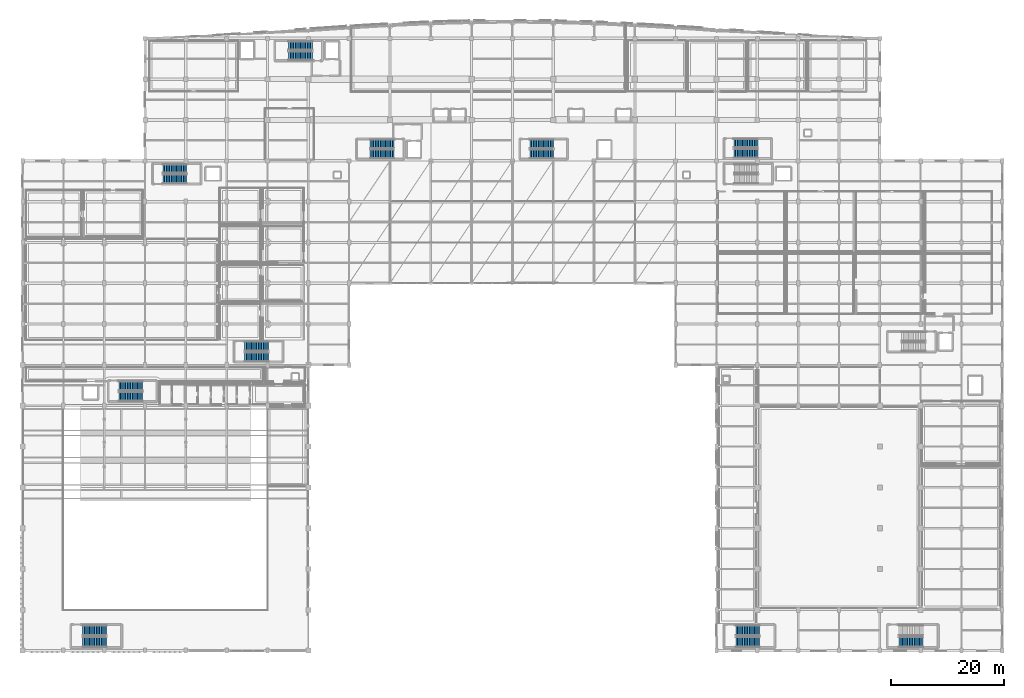
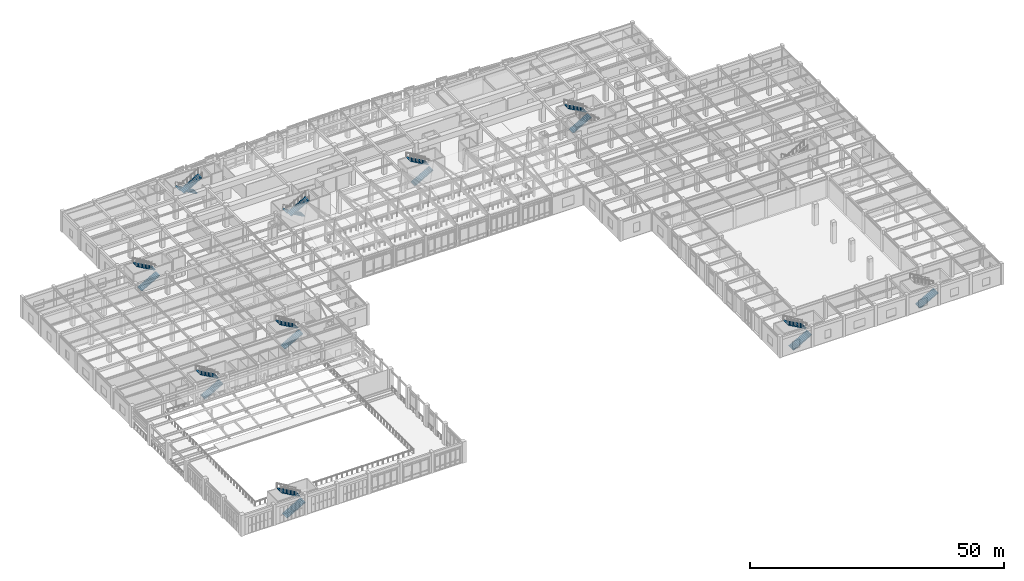
# One storey, part 97 of 117: 19 stair flights, 10 elements without a shape of their own.
"""IFC4 building model written with IfcOpenShell, lengths in metres."""

from ifc_helpers import new_model, si_unit, direction, frame, origin, place, context, subcontext, project, spatial, polyline, outline, extrude, material, type_object, element, aggregate, save


model = new_model("IFC4")

# Units and contexts
model_context = context("Model", 3, precision=1e-05, world=origin(), true_north=direction((0.0, 1.0)))
body_context = subcontext(model_context, "Body", "Model", "MODEL_VIEW")
ifc_project = project(units=[si_unit("LENGTHUNIT", "METRE"), si_unit("AREAUNIT", "SQUARE_METRE"), si_unit("VOLUMEUNIT", "CUBIC_METRE"), si_unit("PLANEANGLEUNIT", "RADIAN"), si_unit("MASSUNIT", "GRAM", prefix="KILO")], contexts=[model_context])

# Site, building, storey
site_placement = place(None, origin())
site = spatial("IfcSite", under=ifc_project, at=site_placement, CompositionType="ELEMENT")
building_placement = place(site_placement, origin())
building = spatial("IfcBuilding", under=site, at=building_placement, Name="Carrowvane Square Congress Hotel", CompositionType="ELEMENT")
storey_placement = place(building_placement, frame((0.0, 0.0, 5.39990234375)))
storey = spatial("IfcBuildingStorey", under=building, at=storey_placement, Name="L01", CompositionType="ELEMENT", Elevation=5.39990234375)

# Stair, stair flights
ifc_material_1 = material(Name="Concrete C35/45", Category="concrete")
stair_type_1 = type_object("IfcStairType", Name="STR-DOG-03", PredefinedType="HALF_TURN_STAIR", material=ifc_material_1)
stair_1_placement = place(storey_placement, origin())
stair_1 = element("IfcStair", 1, at=stair_1_placement, inside=storey, type_object=stair_type_1, Name="L01 Core C1 West Hotel Firefighting Stair", PredefinedType="HALF_TURN_STAIR")
ifc_material_2 = material(Name="Concrete C35/45", Category="concrete")
stair_flight_type_1 = type_object("IfcStairFlightType", Name="SFL-STR-03", PredefinedType="STRAIGHT", material=ifc_material_2)
stair_flight_1_placement = place(storey_placement, frame((62.719970703125, 112.110107421875, 0.0), z_axis=(0.0, 0.0, 1.0), x_axis=(-1.0, 0.0, 0.0)))
stair_flight_1 = element("IfcStairFlight", 2, at=stair_flight_1_placement, type_object=stair_flight_type_1, Name="ST1 flight 1", NumberOfRisers=15, NumberOfTreads=14, PredefinedType="STRAIGHT", RiserHeight=0.17, TreadLength=0.3, context=body_context, shape_type="SweptSolid", body=[
    extrude(outline(polyline([(0.0, 0.0), (0.0, 0.169921875), (0.300048828125, 0.169921875), (0.300048828125, 0.340087890625), (0.60009765625, 0.340087890625), (0.60009765625, 0.510009765625), (0.89990234375, 0.510009765625), (0.89990234375, 0.679931640625), (1.199951171875, 0.679931640625), (1.199951171875, 0.85009765625), (1.5, 0.85009765625), (1.5, 1.02001953125), (1.800048828125, 1.02001953125), (1.800048828125, 1.18994140625), (2.10009765625, 1.18994140625), (2.10009765625, 1.360107421875), (2.39990234375, 1.360107421875), (2.39990234375, 1.530029296875), (2.699951171875, 1.530029296875), (2.699951171875, 1.699951171875), (3.0, 1.699951171875), (3.0, 1.8701171875), (3.300048828125, 1.8701171875), (3.300048828125, 2.0400390625), (3.60009765625, 2.0400390625), (3.60009765625, 2.2099609375), (3.89990234375, 2.2099609375), (3.89990234375, 2.3798828125), (4.199951171875, 2.3798828125), (4.199951171875, 2.550048828125), (4.199951171875, 2.207763671875), (0.303955078125, 0.0), (0.0, 0.0)])), frame((0.0, 0.7900390625, 0.0), z_axis=(0.0, -1.0, 0.0), x_axis=(1.0, 0.0, 0.0)), (0.0, 0.0, 1.0), 1.580078125),
])
stair_flight_2_placement = place(storey_placement, frame((58.52001953125, 110.330078125, 2.550048828125), z_axis=(0.0, 0.0, 1.0), x_axis=(1.0, 0.0, 0.0)))
stair_flight_2 = element("IfcStairFlight", 3, at=stair_flight_2_placement, type_object=stair_flight_type_1, Name="ST1 flight 2", NumberOfRisers=15, NumberOfTreads=14, PredefinedType="STRAIGHT", RiserHeight=0.17, TreadLength=0.3, context=body_context, shape_type="SweptSolid", body=[
    extrude(outline(polyline([(0.0, 0.0), (0.0, 0.169921875), (0.300048828125, 0.169921875), (0.300048828125, 0.340087890625), (0.60009765625, 0.340087890625), (0.60009765625, 0.510009765625), (0.89990234375, 0.510009765625), (0.89990234375, 0.679931640625), (1.199951171875, 0.679931640625), (1.199951171875, 0.85009765625), (1.5, 0.85009765625), (1.5, 1.02001953125), (1.800048828125, 1.02001953125), (1.800048828125, 1.18994140625), (2.10009765625, 1.18994140625), (2.10009765625, 1.360107421875), (2.39990234375, 1.360107421875), (2.39990234375, 1.530029296875), (2.699951171875, 1.530029296875), (2.699951171875, 1.699951171875), (3.0, 1.699951171875), (3.0, 1.8701171875), (3.300048828125, 1.8701171875), (3.300048828125, 2.0400390625), (3.60009765625, 2.0400390625), (3.60009765625, 2.2099609375), (3.89990234375, 2.2099609375), (3.89990234375, 2.3798828125), (4.199951171875, 2.3798828125), (4.199951171875, 2.550048828125), (4.199951171875, 2.207763671875), (0.303955078125, 0.0), (0.0, 0.0)])), frame((0.0, 0.7900390625, 0.0), z_axis=(0.0, -1.0, 0.0), x_axis=(1.0, 0.0, 0.0)), (0.0, 0.0, 1.0), 1.580078125),
])
aggregate(stair_1, [stair_flight_1, stair_flight_2])

stair_2_placement = place(storey_placement, origin())
stair_2 = element("IfcStair", 4, at=stair_2_placement, inside=storey, type_object=stair_type_1, Name="L01 Core C2 Central Hotel Firefighting Stair", PredefinedType="HALF_TURN_STAIR")
stair_flight_3_placement = place(storey_placement, frame((77.1201171875, 94.77001953125, 0.0), z_axis=(0.0, 0.0, 1.0), x_axis=(-1.0, 0.0, 0.0)))
stair_flight_3 = element("IfcStairFlight", 5, at=stair_flight_3_placement, type_object=stair_flight_type_1, Name="ST2 flight 1", NumberOfRisers=15, NumberOfTreads=14, PredefinedType="STRAIGHT", RiserHeight=0.17, TreadLength=0.3, context=body_context, shape_type="SweptSolid", body=[
    extrude(outline(polyline([(0.0, 0.0), (0.0, 0.169921875), (0.300048828125, 0.169921875), (0.300048828125, 0.340087890625), (0.60009765625, 0.340087890625), (0.60009765625, 0.510009765625), (0.89990234375, 0.510009765625), (0.89990234375, 0.679931640625), (1.199951171875, 0.679931640625), (1.199951171875, 0.85009765625), (1.5, 0.85009765625), (1.5, 1.02001953125), (1.800048828125, 1.02001953125), (1.800048828125, 1.18994140625), (2.10009765625, 1.18994140625), (2.10009765625, 1.360107421875), (2.39990234375, 1.360107421875), (2.39990234375, 1.530029296875), (2.699951171875, 1.530029296875), (2.699951171875, 1.699951171875), (3.0, 1.699951171875), (3.0, 1.8701171875), (3.300048828125, 1.8701171875), (3.300048828125, 2.0400390625), (3.60009765625, 2.0400390625), (3.60009765625, 2.2099609375), (3.89990234375, 2.2099609375), (3.89990234375, 2.3798828125), (4.199951171875, 2.3798828125), (4.199951171875, 2.550048828125), (4.199951171875, 2.207763671875), (0.303955078125, 0.0), (0.0, 0.0)])), frame((0.0, 0.7900390625, 0.0), z_axis=(0.0, -1.0, 0.0), x_axis=(1.0, 0.0, 0.0)), (0.0, 0.0, 1.0), 1.580078125),
])
stair_flight_4_placement = place(storey_placement, frame((72.919921875, 92.989990234375, 2.550048828125), z_axis=(0.0, 0.0, 1.0), x_axis=(1.0, 0.0, 0.0)))
stair_flight_4 = element("IfcStairFlight", 6, at=stair_flight_4_placement, type_object=stair_flight_type_1, Name="ST2 flight 2", NumberOfRisers=15, NumberOfTreads=14, PredefinedType="STRAIGHT", RiserHeight=0.17, TreadLength=0.3, context=body_context, shape_type="SweptSolid", body=[
    extrude(outline(polyline([(0.0, 0.0), (0.0, 0.169921875), (0.300048828125, 0.169921875), (0.300048828125, 0.340087890625), (0.60009765625, 0.340087890625), (0.60009765625, 0.510009765625), (0.89990234375, 0.510009765625), (0.89990234375, 0.679931640625), (1.199951171875, 0.679931640625), (1.199951171875, 0.85009765625), (1.5, 0.85009765625), (1.5, 1.02001953125), (1.800048828125, 1.02001953125), (1.800048828125, 1.18994140625), (2.10009765625, 1.18994140625), (2.10009765625, 1.360107421875), (2.39990234375, 1.360107421875), (2.39990234375, 1.530029296875), (2.699951171875, 1.530029296875), (2.699951171875, 1.699951171875), (3.0, 1.699951171875), (3.0, 1.8701171875), (3.300048828125, 1.8701171875), (3.300048828125, 2.0400390625), (3.60009765625, 2.0400390625), (3.60009765625, 2.2099609375), (3.89990234375, 2.2099609375), (3.89990234375, 2.3798828125), (4.199951171875, 2.3798828125), (4.199951171875, 2.550048828125), (4.199951171875, 2.207763671875), (0.303955078125, 0.0), (0.0, 0.0)])), frame((0.0, 0.7900390625, 0.0), z_axis=(0.0, -1.0, 0.0), x_axis=(1.0, 0.0, 0.0)), (0.0, 0.0, 1.0), 1.580078125),
])
aggregate(stair_2, [stair_flight_3, stair_flight_4])

stair_3_placement = place(storey_placement, origin())
stair_3 = element("IfcStair", 7, at=stair_3_placement, inside=storey, type_object=stair_type_1, Name="L01 Core C3 East Hotel Escape Stair", PredefinedType="HALF_TURN_STAIR")
stair_flight_5_placement = place(storey_placement, frame((101.080078125, 92.989990234375, 0.0), z_axis=(0.0, 0.0, 1.0), x_axis=(1.0, 0.0, 0.0)))
stair_flight_5 = element("IfcStairFlight", 8, at=stair_flight_5_placement, type_object=stair_flight_type_1, Name="ST3 flight 1", NumberOfRisers=15, NumberOfTreads=14, PredefinedType="STRAIGHT", RiserHeight=0.17, TreadLength=0.3, context=body_context, shape_type="SweptSolid", body=[
    extrude(outline(polyline([(0.0, 0.0), (0.0, 0.169921875), (0.300048828125, 0.169921875), (0.300048828125, 0.340087890625), (0.60009765625, 0.340087890625), (0.60009765625, 0.510009765625), (0.89990234375, 0.510009765625), (0.89990234375, 0.679931640625), (1.199951171875, 0.679931640625), (1.199951171875, 0.85009765625), (1.5, 0.85009765625), (1.5, 1.02001953125), (1.800048828125, 1.02001953125), (1.800048828125, 1.18994140625), (2.10009765625, 1.18994140625), (2.10009765625, 1.360107421875), (2.39990234375, 1.360107421875), (2.39990234375, 1.530029296875), (2.699951171875, 1.530029296875), (2.699951171875, 1.699951171875), (3.0, 1.699951171875), (3.0, 1.8701171875), (3.300048828125, 1.8701171875), (3.300048828125, 2.0400390625), (3.60009765625, 2.0400390625), (3.60009765625, 2.2099609375), (3.89990234375, 2.2099609375), (3.89990234375, 2.3798828125), (4.199951171875, 2.3798828125), (4.199951171875, 2.550048828125), (4.199951171875, 2.207763671875), (0.303955078125, 0.0), (0.0, 0.0)])), frame((0.0, 0.7900390625, 0.0), z_axis=(0.0, -1.0, 0.0), x_axis=(1.0, 0.0, 0.0)), (0.0, 0.0, 1.0), 1.580078125),
])
stair_flight_6_placement = place(storey_placement, frame((105.280029296875, 94.77001953125, 2.550048828125), z_axis=(0.0, 0.0, 1.0), x_axis=(-1.0, 0.0, 0.0)))
stair_flight_6 = element("IfcStairFlight", 9, at=stair_flight_6_placement, type_object=stair_flight_type_1, Name="ST3 flight 2", NumberOfRisers=15, NumberOfTreads=14, PredefinedType="STRAIGHT", RiserHeight=0.17, TreadLength=0.3, context=body_context, shape_type="SweptSolid", body=[
    extrude(outline(polyline([(0.0, 0.0), (0.0, 0.169921875), (0.300048828125, 0.169921875), (0.300048828125, 0.340087890625), (0.60009765625, 0.340087890625), (0.60009765625, 0.510009765625), (0.89990234375, 0.510009765625), (0.89990234375, 0.679931640625), (1.199951171875, 0.679931640625), (1.199951171875, 0.85009765625), (1.5, 0.85009765625), (1.5, 1.02001953125), (1.800048828125, 1.02001953125), (1.800048828125, 1.18994140625), (2.10009765625, 1.18994140625), (2.10009765625, 1.360107421875), (2.39990234375, 1.360107421875), (2.39990234375, 1.530029296875), (2.699951171875, 1.530029296875), (2.699951171875, 1.699951171875), (3.0, 1.699951171875), (3.0, 1.8701171875), (3.300048828125, 1.8701171875), (3.300048828125, 2.0400390625), (3.60009765625, 2.0400390625), (3.60009765625, 2.2099609375), (3.89990234375, 2.2099609375), (3.89990234375, 2.3798828125), (4.199951171875, 2.3798828125), (4.199951171875, 2.550048828125), (4.199951171875, 2.207763671875), (0.303955078125, 0.0), (0.0, 0.0)])), frame((0.0, 0.7900390625, 0.0), z_axis=(0.0, -1.0, 0.0), x_axis=(1.0, 0.0, 0.0)), (0.0, 0.0, 1.0), 1.580078125),
])
aggregate(stair_3, [stair_flight_5, stair_flight_6])

stair_4_placement = place(storey_placement, origin())
stair_4 = element("IfcStair", 10, at=stair_4_placement, inside=storey, type_object=stair_type_1, Name="L01 East Hotel Wing Escape Stair", PredefinedType="HALF_TURN_STAIR")
stair_flight_7_placement = place(storey_placement, frame((137.080078125, 93.090087890625, 0.0), z_axis=(0.0, 0.0, 1.0), x_axis=(1.0, 0.0, 0.0)))
stair_flight_7 = element("IfcStairFlight", 11, at=stair_flight_7_placement, type_object=stair_flight_type_1, Name="ST12 flight 1", NumberOfRisers=15, NumberOfTreads=14, PredefinedType="STRAIGHT", RiserHeight=0.17, TreadLength=0.3, context=body_context, shape_type="SweptSolid", body=[
    extrude(outline(polyline([(0.0, 0.0), (0.0, 0.169921875), (0.300048828125, 0.169921875), (0.300048828125, 0.340087890625), (0.60009765625, 0.340087890625), (0.60009765625, 0.510009765625), (0.89990234375, 0.510009765625), (0.89990234375, 0.679931640625), (1.199951171875, 0.679931640625), (1.199951171875, 0.85009765625), (1.5, 0.85009765625), (1.5, 1.02001953125), (1.800048828125, 1.02001953125), (1.800048828125, 1.18994140625), (2.10009765625, 1.18994140625), (2.10009765625, 1.360107421875), (2.39990234375, 1.360107421875), (2.39990234375, 1.530029296875), (2.699951171875, 1.530029296875), (2.699951171875, 1.699951171875), (3.0, 1.699951171875), (3.0, 1.8701171875), (3.300048828125, 1.8701171875), (3.300048828125, 2.0400390625), (3.60009765625, 2.0400390625), (3.60009765625, 2.2099609375), (3.89990234375, 2.2099609375), (3.89990234375, 2.3798828125), (4.199951171875, 2.3798828125), (4.199951171875, 2.550048828125), (4.199951171875, 2.207763671875), (0.303955078125, 0.0), (0.0, 0.0)])), frame((0.0, 0.7900390625, 0.0), z_axis=(0.0, -1.0, 0.0), x_axis=(1.0, 0.0, 0.0)), (0.0, 0.0, 1.0), 1.580078125),
])
stair_flight_8_placement = place(storey_placement, frame((141.280029296875, 94.8701171875, 2.550048828125), z_axis=(0.0, 0.0, 1.0), x_axis=(-1.0, 0.0, 0.0)))
stair_flight_8 = element("IfcStairFlight", 12, at=stair_flight_8_placement, type_object=stair_flight_type_1, Name="ST12 flight 2", NumberOfRisers=15, NumberOfTreads=14, PredefinedType="STRAIGHT", RiserHeight=0.17, TreadLength=0.3, context=body_context, shape_type="SweptSolid", body=[
    extrude(outline(polyline([(0.0, 0.0), (0.0, 0.169921875), (0.300048828125, 0.169921875), (0.300048828125, 0.340087890625), (0.60009765625, 0.340087890625), (0.60009765625, 0.510009765625), (0.89990234375, 0.510009765625), (0.89990234375, 0.679931640625), (1.199951171875, 0.679931640625), (1.199951171875, 0.85009765625), (1.5, 0.85009765625), (1.5, 1.02001953125), (1.800048828125, 1.02001953125), (1.800048828125, 1.18994140625), (2.10009765625, 1.18994140625), (2.10009765625, 1.360107421875), (2.39990234375, 1.360107421875), (2.39990234375, 1.530029296875), (2.699951171875, 1.530029296875), (2.699951171875, 1.699951171875), (3.0, 1.699951171875), (3.0, 1.8701171875), (3.300048828125, 1.8701171875), (3.300048828125, 2.0400390625), (3.60009765625, 2.0400390625), (3.60009765625, 2.2099609375), (3.89990234375, 2.2099609375), (3.89990234375, 2.3798828125), (4.199951171875, 2.3798828125), (4.199951171875, 2.550048828125), (4.199951171875, 2.207763671875), (0.303955078125, 0.0), (0.0, 0.0)])), frame((0.0, 0.7900390625, 0.0), z_axis=(0.0, -1.0, 0.0), x_axis=(1.0, 0.0, 0.0)), (0.0, 0.0, 1.0), 1.580078125),
])
aggregate(stair_4, [stair_flight_7, stair_flight_8])

ifc_material_3 = material(Name="Concrete C35/45", Category="concrete")
stair_type_2 = type_object("IfcStairType", Name="STR-DOG-07", PredefinedType="HALF_TURN_STAIR", material=ifc_material_3)
stair_5_placement = place(storey_placement, origin())
stair_5 = element("IfcStair", 13, at=stair_5_placement, inside=storey, type_object=stair_type_2, Name="L01 Core C5 West Spa Escape Stair", PredefinedType="HALF_TURN_STAIR")
ifc_material_4 = material(Name="Concrete C35/45", Category="concrete")
stair_flight_type_2 = type_object("IfcStairFlightType", Name="SFL-STR-07", PredefinedType="STRAIGHT", material=ifc_material_4)
stair_flight_9_placement = place(storey_placement, frame((36.35009765625, 88.60009765625, 0.0), z_axis=(0.0, 0.0, 1.0), x_axis=(1.0, 0.0, 0.0)))
stair_flight_9 = element("IfcStairFlight", 14, at=stair_flight_9_placement, type_object=stair_flight_type_2, Name="ST5 flight 1", NumberOfRisers=15, NumberOfTreads=14, PredefinedType="STRAIGHT", RiserHeight=0.17, TreadLength=0.3, context=body_context, shape_type="SweptSolid", body=[
    extrude(outline(polyline([(0.0, 0.0), (0.0, 0.169921875), (0.300048828125, 0.169921875), (0.300048828125, 0.340087890625), (0.60009765625, 0.340087890625), (0.60009765625, 0.510009765625), (0.89990234375, 0.510009765625), (0.89990234375, 0.679931640625), (1.199951171875, 0.679931640625), (1.199951171875, 0.85009765625), (1.5, 0.85009765625), (1.5, 1.02001953125), (1.800048828125, 1.02001953125), (1.800048828125, 1.18994140625), (2.10009765625, 1.18994140625), (2.10009765625, 1.360107421875), (2.39990234375, 1.360107421875), (2.39990234375, 1.530029296875), (2.699951171875, 1.530029296875), (2.699951171875, 1.699951171875), (3.0, 1.699951171875), (3.0, 1.8701171875), (3.300048828125, 1.8701171875), (3.300048828125, 2.0400390625), (3.60009765625, 2.0400390625), (3.60009765625, 2.2099609375), (3.89990234375, 2.2099609375), (3.89990234375, 2.3798828125), (4.199951171875, 2.3798828125), (4.199951171875, 2.550048828125), (4.199951171875, 2.207763671875), (0.303955078125, 0.0), (0.0, 0.0)])), frame((0.0, 0.800048828125, 0.0), z_axis=(0.0, -1.0, 0.0), x_axis=(1.0, 0.0, 0.0)), (0.0, 0.0, 1.0), 1.60009765625),
])
stair_flight_10_placement = place(storey_placement, frame((40.550048828125, 90.39990234375, 2.550048828125), z_axis=(0.0, 0.0, 1.0), x_axis=(-1.0, 0.0, 0.0)))
stair_flight_10 = element("IfcStairFlight", 15, at=stair_flight_10_placement, type_object=stair_flight_type_2, Name="ST5 flight 2", NumberOfRisers=15, NumberOfTreads=14, PredefinedType="STRAIGHT", RiserHeight=0.17, TreadLength=0.3, context=body_context, shape_type="SweptSolid", body=[
    extrude(outline(polyline([(0.0, 0.0), (0.0, 0.169921875), (0.300048828125, 0.169921875), (0.300048828125, 0.340087890625), (0.60009765625, 0.340087890625), (0.60009765625, 0.510009765625), (0.89990234375, 0.510009765625), (0.89990234375, 0.679931640625), (1.199951171875, 0.679931640625), (1.199951171875, 0.85009765625), (1.5, 0.85009765625), (1.5, 1.02001953125), (1.800048828125, 1.02001953125), (1.800048828125, 1.18994140625), (2.10009765625, 1.18994140625), (2.10009765625, 1.360107421875), (2.39990234375, 1.360107421875), (2.39990234375, 1.530029296875), (2.699951171875, 1.530029296875), (2.699951171875, 1.699951171875), (3.0, 1.699951171875), (3.0, 1.8701171875), (3.300048828125, 1.8701171875), (3.300048828125, 2.0400390625), (3.60009765625, 2.0400390625), (3.60009765625, 2.2099609375), (3.89990234375, 2.2099609375), (3.89990234375, 2.3798828125), (4.199951171875, 2.3798828125), (4.199951171875, 2.550048828125), (4.199951171875, 2.207763671875), (0.303955078125, 0.0), (0.0, 0.0)])), frame((0.0, 0.800048828125, 0.0), z_axis=(0.0, -1.0, 0.0), x_axis=(1.0, 0.0, 0.0)), (0.0, 0.0, 1.0), 1.60009765625),
])
aggregate(stair_5, [stair_flight_9, stair_flight_10])

ifc_material_5 = material(Name="Concrete C35/45", Category="concrete")
stair_type_3 = type_object("IfcStairType", Name="STR-DOG-10", PredefinedType="HALF_TURN_STAIR", material=ifc_material_5)
stair_6_placement = place(storey_placement, origin())
stair_6 = element("IfcStair", 16, at=stair_6_placement, inside=storey, type_object=stair_type_3, Name="L01 Plenary North-West Escape Stair", PredefinedType="HALF_TURN_STAIR")
ifc_material_6 = material(Name="Concrete C35/45", Category="concrete")
stair_flight_type_3 = type_object("IfcStairFlightType", Name="SFL-STR-10", PredefinedType="STRAIGHT", material=ifc_material_6)
stair_flight_11_placement = place(storey_placement, frame((28.580078125, 50.22998046875, 0.0), z_axis=(0.0, 0.0, 1.0), x_axis=(1.0, 0.0, 0.0)))
stair_flight_11 = element("IfcStairFlight", 17, at=stair_flight_11_placement, type_object=stair_flight_type_3, Name="ST6 flight 1", NumberOfRisers=15, NumberOfTreads=14, PredefinedType="STRAIGHT", RiserHeight=0.17, TreadLength=0.3, context=body_context, shape_type="SweptSolid", body=[
    extrude(outline(polyline([(0.0, 0.0), (0.0, 0.169921875), (0.300048828125, 0.169921875), (0.300048828125, 0.340087890625), (0.60009765625, 0.340087890625), (0.60009765625, 0.510009765625), (0.89990234375, 0.510009765625), (0.89990234375, 0.679931640625), (1.199951171875, 0.679931640625), (1.199951171875, 0.85009765625), (1.5, 0.85009765625), (1.5, 1.02001953125), (1.800048828125, 1.02001953125), (1.800048828125, 1.18994140625), (2.10009765625, 1.18994140625), (2.10009765625, 1.360107421875), (2.39990234375, 1.360107421875), (2.39990234375, 1.530029296875), (2.699951171875, 1.530029296875), (2.699951171875, 1.699951171875), (3.0, 1.699951171875), (3.0, 1.8701171875), (3.300048828125, 1.8701171875), (3.300048828125, 2.0400390625), (3.60009765625, 2.0400390625), (3.60009765625, 2.2099609375), (3.89990234375, 2.2099609375), (3.89990234375, 2.3798828125), (4.199951171875, 2.3798828125), (4.199951171875, 2.550048828125), (4.199951171875, 2.207763671875), (0.303955078125, 0.0), (0.0, 0.0)])), frame((0.0, 0.830078125, 0.0), z_axis=(0.0, -1.0, 0.0), x_axis=(1.0, 0.0, 0.0)), (0.0, 0.0, 1.0), 1.659912109375),
])
stair_flight_12_placement = place(storey_placement, frame((32.780029296875, 52.090087890625, 2.550048828125), z_axis=(0.0, 0.0, 1.0), x_axis=(-1.0, 0.0, 0.0)))
stair_flight_12 = element("IfcStairFlight", 18, at=stair_flight_12_placement, type_object=stair_flight_type_3, Name="ST6 flight 2", NumberOfRisers=15, NumberOfTreads=14, PredefinedType="STRAIGHT", RiserHeight=0.17, TreadLength=0.3, context=body_context, shape_type="SweptSolid", body=[
    extrude(outline(polyline([(0.0, 0.0), (0.0, 0.169921875), (0.300048828125, 0.169921875), (0.300048828125, 0.340087890625), (0.60009765625, 0.340087890625), (0.60009765625, 0.510009765625), (0.89990234375, 0.510009765625), (0.89990234375, 0.679931640625), (1.199951171875, 0.679931640625), (1.199951171875, 0.85009765625), (1.5, 0.85009765625), (1.5, 1.02001953125), (1.800048828125, 1.02001953125), (1.800048828125, 1.18994140625), (2.10009765625, 1.18994140625), (2.10009765625, 1.360107421875), (2.39990234375, 1.360107421875), (2.39990234375, 1.530029296875), (2.699951171875, 1.530029296875), (2.699951171875, 1.699951171875), (3.0, 1.699951171875), (3.0, 1.8701171875), (3.300048828125, 1.8701171875), (3.300048828125, 2.0400390625), (3.60009765625, 2.0400390625), (3.60009765625, 2.2099609375), (3.89990234375, 2.2099609375), (3.89990234375, 2.3798828125), (4.199951171875, 2.3798828125), (4.199951171875, 2.550048828125), (4.199951171875, 2.207763671875), (0.303955078125, 0.0), (0.0, 0.0)])), frame((0.0, 0.830078125, 0.0), z_axis=(0.0, -1.0, 0.0), x_axis=(1.0, 0.0, 0.0)), (0.0, 0.0, 1.0), 1.659912109375),
])
aggregate(stair_6, [stair_flight_11, stair_flight_12])

stair_7_placement = place(storey_placement, origin())
stair_7 = element("IfcStair", 19, at=stair_7_placement, inside=storey, type_object=stair_type_3, Name="L01 Spa Courtyard Escape Stair", PredefinedType="HALF_TURN_STAIR")
stair_flight_13_placement = place(storey_placement, frame((50.780029296875, 57.22998046875, 0.0), z_axis=(0.0, 0.0, 1.0), x_axis=(1.0, 0.0, 0.0)))
stair_flight_13 = element("IfcStairFlight", 20, at=stair_flight_13_placement, type_object=stair_flight_type_3, Name="ST7 flight 1", NumberOfRisers=15, NumberOfTreads=14, PredefinedType="STRAIGHT", RiserHeight=0.17, TreadLength=0.3, context=body_context, shape_type="SweptSolid", body=[
    extrude(outline(polyline([(0.0, 0.0), (0.0, 0.169921875), (0.300048828125, 0.169921875), (0.300048828125, 0.340087890625), (0.60009765625, 0.340087890625), (0.60009765625, 0.510009765625), (0.89990234375, 0.510009765625), (0.89990234375, 0.679931640625), (1.199951171875, 0.679931640625), (1.199951171875, 0.85009765625), (1.5, 0.85009765625), (1.5, 1.02001953125), (1.800048828125, 1.02001953125), (1.800048828125, 1.18994140625), (2.10009765625, 1.18994140625), (2.10009765625, 1.360107421875), (2.39990234375, 1.360107421875), (2.39990234375, 1.530029296875), (2.699951171875, 1.530029296875), (2.699951171875, 1.699951171875), (3.0, 1.699951171875), (3.0, 1.8701171875), (3.300048828125, 1.8701171875), (3.300048828125, 2.0400390625), (3.60009765625, 2.0400390625), (3.60009765625, 2.2099609375), (3.89990234375, 2.2099609375), (3.89990234375, 2.3798828125), (4.199951171875, 2.3798828125), (4.199951171875, 2.550048828125), (4.199951171875, 2.207763671875), (0.303955078125, 0.0), (0.0, 0.0)])), frame((0.0, 0.830078125, 0.0), z_axis=(0.0, -1.0, 0.0), x_axis=(1.0, 0.0, 0.0)), (0.0, 0.0, 1.0), 1.659912109375),
])
stair_flight_14_placement = place(storey_placement, frame((54.97998046875, 59.090087890625, 2.550048828125), z_axis=(0.0, 0.0, 1.0), x_axis=(-1.0, 0.0, 0.0)))
stair_flight_14 = element("IfcStairFlight", 21, at=stair_flight_14_placement, type_object=stair_flight_type_3, Name="ST7 flight 2", NumberOfRisers=15, NumberOfTreads=14, PredefinedType="STRAIGHT", RiserHeight=0.17, TreadLength=0.3, context=body_context, shape_type="SweptSolid", body=[
    extrude(outline(polyline([(0.0, 0.0), (0.0, 0.169921875), (0.300048828125, 0.169921875), (0.300048828125, 0.340087890625), (0.60009765625, 0.340087890625), (0.60009765625, 0.510009765625), (0.89990234375, 0.510009765625), (0.89990234375, 0.679931640625), (1.199951171875, 0.679931640625), (1.199951171875, 0.85009765625), (1.5, 0.85009765625), (1.5, 1.02001953125), (1.800048828125, 1.02001953125), (1.800048828125, 1.18994140625), (2.10009765625, 1.18994140625), (2.10009765625, 1.360107421875), (2.39990234375, 1.360107421875), (2.39990234375, 1.530029296875), (2.699951171875, 1.530029296875), (2.699951171875, 1.699951171875), (3.0, 1.699951171875), (3.0, 1.8701171875), (3.300048828125, 1.8701171875), (3.300048828125, 2.0400390625), (3.60009765625, 2.0400390625), (3.60009765625, 2.2099609375), (3.89990234375, 2.2099609375), (3.89990234375, 2.3798828125), (4.199951171875, 2.3798828125), (4.199951171875, 2.550048828125), (4.199951171875, 2.207763671875), (0.303955078125, 0.0), (0.0, 0.0)])), frame((0.0, 0.830078125, 0.0), z_axis=(0.0, -1.0, 0.0), x_axis=(1.0, 0.0, 0.0)), (0.0, 0.0, 1.0), 1.659912109375),
])
aggregate(stair_7, [stair_flight_13, stair_flight_14])

ifc_material_7 = material(Name="Concrete C35/45", Category="concrete")
stair_type_4 = type_object("IfcStairType", Name="STR-DOG-13", PredefinedType="HALF_TURN_STAIR", material=ifc_material_7)
stair_8_placement = place(storey_placement, origin())
stair_8 = element("IfcStair", 22, at=stair_8_placement, inside=storey, type_object=stair_type_4, Name="L01 Plenary South Assembly Stair", PredefinedType="HALF_TURN_STAIR")
ifc_material_8 = material(Name="Concrete C35/45", Category="concrete")
stair_flight_type_4 = type_object("IfcStairFlightType", Name="SFL-STR-13", PredefinedType="STRAIGHT", material=ifc_material_8)
stair_flight_15_placement = place(storey_placement, frame((22.199951171875, 6.925048828125, 0.0), z_axis=(0.0, 0.0, 1.0), x_axis=(1.0, 0.0, 0.0)))
stair_flight_15 = element("IfcStairFlight", 23, at=stair_flight_15_placement, type_object=stair_flight_type_4, Name="ST9 flight 1", NumberOfRisers=15, NumberOfTreads=14, PredefinedType="STRAIGHT", RiserHeight=0.17, TreadLength=0.3, context=body_context, shape_type="SweptSolid", body=[
    extrude(outline(polyline([(0.0, 0.0), (0.0, 0.169921875), (0.300048828125, 0.169921875), (0.300048828125, 0.340087890625), (0.60009765625, 0.340087890625), (0.60009765625, 0.510009765625), (0.89990234375, 0.510009765625), (0.89990234375, 0.679931640625), (1.199951171875, 0.679931640625), (1.199951171875, 0.85009765625), (1.5, 0.85009765625), (1.5, 1.02001953125), (1.800048828125, 1.02001953125), (1.800048828125, 1.18994140625), (2.10009765625, 1.18994140625), (2.10009765625, 1.360107421875), (2.39990234375, 1.360107421875), (2.39990234375, 1.530029296875), (2.699951171875, 1.530029296875), (2.699951171875, 1.699951171875), (3.0, 1.699951171875), (3.0, 1.8701171875), (3.300048828125, 1.8701171875), (3.300048828125, 2.0400390625), (3.60009765625, 2.0400390625), (3.60009765625, 2.2099609375), (3.89990234375, 2.2099609375), (3.89990234375, 2.3798828125), (4.199951171875, 2.3798828125), (4.199951171875, 2.550048828125), (4.199951171875, 2.207763671875), (0.303955078125, 0.0), (0.0, 0.0)])), frame((0.0, 0.925048828125, 0.0), z_axis=(0.0, -1.0, 0.0), x_axis=(1.0, 0.0, 0.0)), (0.0, 0.0, 1.0), 1.85009765625),
])
stair_flight_16_placement = place(storey_placement, frame((26.39990234375, 8.97509765625, 2.550048828125), z_axis=(0.0, 0.0, 1.0), x_axis=(-1.0, 0.0, 0.0)))
stair_flight_16 = element("IfcStairFlight", 24, at=stair_flight_16_placement, type_object=stair_flight_type_4, Name="ST9 flight 2", NumberOfRisers=15, NumberOfTreads=14, PredefinedType="STRAIGHT", RiserHeight=0.17, TreadLength=0.3, context=body_context, shape_type="SweptSolid", body=[
    extrude(outline(polyline([(0.0, 0.0), (0.0, 0.169921875), (0.300048828125, 0.169921875), (0.300048828125, 0.340087890625), (0.60009765625, 0.340087890625), (0.60009765625, 0.510009765625), (0.89990234375, 0.510009765625), (0.89990234375, 0.679931640625), (1.199951171875, 0.679931640625), (1.199951171875, 0.85009765625), (1.5, 0.85009765625), (1.5, 1.02001953125), (1.800048828125, 1.02001953125), (1.800048828125, 1.18994140625), (2.10009765625, 1.18994140625), (2.10009765625, 1.360107421875), (2.39990234375, 1.360107421875), (2.39990234375, 1.530029296875), (2.699951171875, 1.530029296875), (2.699951171875, 1.699951171875), (3.0, 1.699951171875), (3.0, 1.8701171875), (3.300048828125, 1.8701171875), (3.300048828125, 2.0400390625), (3.60009765625, 2.0400390625), (3.60009765625, 2.2099609375), (3.89990234375, 2.2099609375), (3.89990234375, 2.3798828125), (4.199951171875, 2.3798828125), (4.199951171875, 2.550048828125), (4.199951171875, 2.207763671875), (0.303955078125, 0.0), (0.0, 0.0)])), frame((0.0, 0.925048828125, 0.0), z_axis=(0.0, -1.0, 0.0), x_axis=(1.0, 0.0, 0.0)), (0.0, 0.0, 1.0), 1.85009765625),
])
aggregate(stair_8, [stair_flight_15, stair_flight_16])

stair_9_placement = place(storey_placement, origin())
stair_9 = element("IfcStair", 25, at=stair_9_placement, inside=storey, type_object=stair_type_4, Name="L01 Ballroom South-West Assembly Stair", PredefinedType="HALF_TURN_STAIR")
stair_flight_17_placement = place(storey_placement, frame((137.39990234375, 6.925048828125, 0.0), z_axis=(0.0, 0.0, 1.0), x_axis=(1.0, 0.0, 0.0)))
stair_flight_17 = element("IfcStairFlight", 26, at=stair_flight_17_placement, type_object=stair_flight_type_4, Name="ST10 flight 1", NumberOfRisers=15, NumberOfTreads=14, PredefinedType="STRAIGHT", RiserHeight=0.17, TreadLength=0.3, context=body_context, shape_type="SweptSolid", body=[
    extrude(outline(polyline([(0.0, 0.0), (0.0, 0.169921875), (0.300048828125, 0.169921875), (0.300048828125, 0.340087890625), (0.60009765625, 0.340087890625), (0.60009765625, 0.510009765625), (0.89990234375, 0.510009765625), (0.89990234375, 0.679931640625), (1.199951171875, 0.679931640625), (1.199951171875, 0.85009765625), (1.5, 0.85009765625), (1.5, 1.02001953125), (1.800048828125, 1.02001953125), (1.800048828125, 1.18994140625), (2.10009765625, 1.18994140625), (2.10009765625, 1.360107421875), (2.39990234375, 1.360107421875), (2.39990234375, 1.530029296875), (2.699951171875, 1.530029296875), (2.699951171875, 1.699951171875), (3.0, 1.699951171875), (3.0, 1.8701171875), (3.300048828125, 1.8701171875), (3.300048828125, 2.0400390625), (3.60009765625, 2.0400390625), (3.60009765625, 2.2099609375), (3.89990234375, 2.2099609375), (3.89990234375, 2.3798828125), (4.199951171875, 2.3798828125), (4.199951171875, 2.550048828125), (4.199951171875, 2.207763671875), (0.303955078125, 0.0), (0.0, 0.0)])), frame((0.0, 0.925048828125, 0.0), z_axis=(0.0, -1.0, 0.0), x_axis=(1.0, 0.0, 0.0)), (0.0, 0.0, 1.0), 1.85009765625),
])
stair_flight_18_placement = place(storey_placement, frame((141.60009765625, 8.97509765625, 2.550048828125), z_axis=(0.0, 0.0, 1.0), x_axis=(-1.0, 0.0, 0.0)))
stair_flight_18 = element("IfcStairFlight", 27, at=stair_flight_18_placement, type_object=stair_flight_type_4, Name="ST10 flight 2", NumberOfRisers=15, NumberOfTreads=14, PredefinedType="STRAIGHT", RiserHeight=0.17, TreadLength=0.3, context=body_context, shape_type="SweptSolid", body=[
    extrude(outline(polyline([(0.0, 0.0), (0.0, 0.169921875), (0.300048828125, 0.169921875), (0.300048828125, 0.340087890625), (0.60009765625, 0.340087890625), (0.60009765625, 0.510009765625), (0.89990234375, 0.510009765625), (0.89990234375, 0.679931640625), (1.199951171875, 0.679931640625), (1.199951171875, 0.85009765625), (1.5, 0.85009765625), (1.5, 1.02001953125), (1.800048828125, 1.02001953125), (1.800048828125, 1.18994140625), (2.10009765625, 1.18994140625), (2.10009765625, 1.360107421875), (2.39990234375, 1.360107421875), (2.39990234375, 1.530029296875), (2.699951171875, 1.530029296875), (2.699951171875, 1.699951171875), (3.0, 1.699951171875), (3.0, 1.8701171875), (3.300048828125, 1.8701171875), (3.300048828125, 2.0400390625), (3.60009765625, 2.0400390625), (3.60009765625, 2.2099609375), (3.89990234375, 2.2099609375), (3.89990234375, 2.3798828125), (4.199951171875, 2.3798828125), (4.199951171875, 2.550048828125), (4.199951171875, 2.207763671875), (0.303955078125, 0.0), (0.0, 0.0)])), frame((0.0, 0.925048828125, 0.0), z_axis=(0.0, -1.0, 0.0), x_axis=(1.0, 0.0, 0.0)), (0.0, 0.0, 1.0), 1.85009765625),
])
aggregate(stair_9, [stair_flight_17, stair_flight_18])

# Stair, stair flight
stair_10_placement = place(storey_placement, origin())
stair_10 = element("IfcStair", 28, at=stair_10_placement, inside=storey, type_object=stair_type_4, Name="L01 Ballroom South-East Assembly Stair", PredefinedType="HALF_TURN_STAIR")
stair_flight_19_placement = place(storey_placement, frame((166.199951171875, 6.925048828125, 0.0), z_axis=(0.0, 0.0, 1.0), x_axis=(1.0, 0.0, 0.0)))
stair_flight_19 = element("IfcStairFlight", 29, at=stair_flight_19_placement, type_object=stair_flight_type_4, Name="ST11 flight 1", NumberOfRisers=15, NumberOfTreads=14, PredefinedType="STRAIGHT", RiserHeight=0.17, TreadLength=0.3, context=body_context, shape_type="SweptSolid", body=[
    extrude(outline(polyline([(0.0, 0.0), (0.0, 0.169921875), (0.300048828125, 0.169921875), (0.300048828125, 0.340087890625), (0.60009765625, 0.340087890625), (0.60009765625, 0.510009765625), (0.89990234375, 0.510009765625), (0.89990234375, 0.679931640625), (1.199951171875, 0.679931640625), (1.199951171875, 0.85009765625), (1.5, 0.85009765625), (1.5, 1.02001953125), (1.800048828125, 1.02001953125), (1.800048828125, 1.18994140625), (2.10009765625, 1.18994140625), (2.10009765625, 1.360107421875), (2.39990234375, 1.360107421875), (2.39990234375, 1.530029296875), (2.699951171875, 1.530029296875), (2.699951171875, 1.699951171875), (3.0, 1.699951171875), (3.0, 1.8701171875), (3.300048828125, 1.8701171875), (3.300048828125, 2.0400390625), (3.60009765625, 2.0400390625), (3.60009765625, 2.2099609375), (3.89990234375, 2.2099609375), (3.89990234375, 2.3798828125), (4.199951171875, 2.3798828125), (4.199951171875, 2.550048828125), (4.199951171875, 2.207763671875), (0.303955078125, 0.0), (0.0, 0.0)])), frame((0.0, 0.925048828125, 0.0), z_axis=(0.0, -1.0, 0.0), x_axis=(1.0, 0.0, 0.0)), (0.0, 0.0, 1.0), 1.85009765625),
])
aggregate(stair_10, [stair_flight_19])

save(model, "model.ifc")
